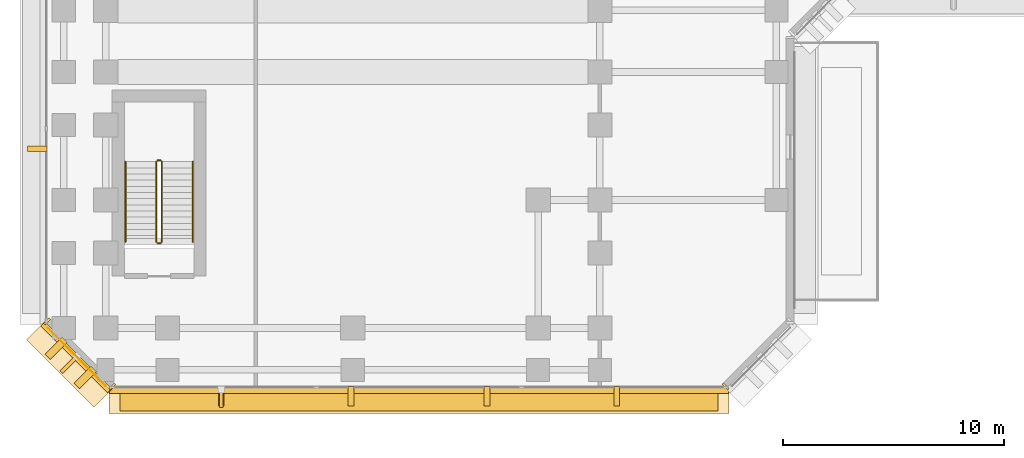
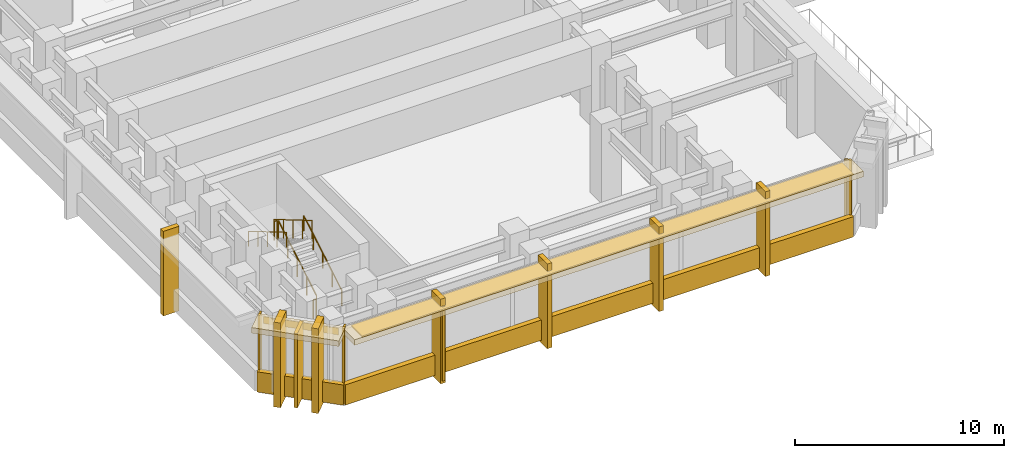
# One storey, part 10 of 16: 15 coverings, 6 railings, 3 shading devices.
"""IFC4 building model written with IfcOpenShell, lengths in metres."""

import ifcopenshell
import ifcopenshell.guid

model = None  # the IFC model being written
_history = None  # IfcOwnerHistory: only IFC2X3 demands one
_inside = {}  # id of a spatial element -> (the spatial element, [elements in it])
_under = {}  # id of a project, library or spatial element -> (it, [spatial elements below it])
_declared = {}  # id of a project -> (the project, [libraries it declares])
_typed = {}  # id of a type object -> (the type object, [elements of that type])
_made_of = {}  # id of a material, layer set ... -> (it, [elements and type objects made of it])


def new_model(schema):
    """Start an empty IFC model of exactly this schema.

    Asked for "IFC4X3", IfcOpenShell would pick the latest addendum, in which some entities
    have other attributes; the version numbers below select the first issue.
    IFC2X3 requires an IfcOwnerHistory on every rooted entity: one is made here for all.
    """
    global model, _history
    if schema == "IFC4X3":
        model = ifcopenshell.file(schema_version=(4, 3, 0, 0))
    else:
        model = ifcopenshell.file(schema=schema)
    _inside.clear()
    _under.clear()
    _declared.clear()
    _typed.clear()
    _made_of.clear()
    _history = None
    if model.schema == "IFC2X3":
        org = make("IfcOrganization", Name="unknown")
        user = make(
            "IfcPersonAndOrganization",
            ThePerson=make("IfcPerson", FamilyName="unknown"),
            TheOrganization=org,
        )
        app = make(
            "IfcApplication",
            ApplicationDeveloper=org,
            Version="unknown",
            ApplicationFullName="unknown",
            ApplicationIdentifier="unknown",
        )
        _history = make(
            "IfcOwnerHistory",
            OwningUser=user,
            OwningApplication=app,
            ChangeAction="ADDED",
            CreationDate=0,
        )
    return model


def make(cls, **values):
    """One entity of the class cls with the attributes given. An attribute that is None is left unset."""
    return model.create_entity(
        cls, **{name: value for name, value in values.items() if value is not None}
    )


def rooted(cls, **values):
    """An entity with a GlobalId (a new one), such as an element, a storey or a relation."""
    return make(cls, GlobalId=ifcopenshell.guid.new(), OwnerHistory=_history, **values)


def si_unit(unit_type, name, prefix=None):
    """IfcSIUnit, for example si_unit("LENGTHUNIT", "METRE", prefix="MILLI")."""
    return make("IfcSIUnit", UnitType=unit_type, Prefix=prefix, Name=name)


def assignment(units):
    """IfcUnitAssignment: the units of a project."""
    return None if units is None else make("IfcUnitAssignment", Units=units)


def point(xyz):
    """IfcCartesianPoint."""
    return None if xyz is None else make("IfcCartesianPoint", Coordinates=xyz)


def direction(xyz):
    """IfcDirection."""
    return None if xyz is None else make("IfcDirection", DirectionRatios=xyz)


def frame(location, z_axis=None, x_axis=None):
    """IfcAxis2Placement3D, a coordinate frame: its origin and axes. An axis left out is left unset."""
    return make(
        "IfcAxis2Placement3D",
        Location=point(location),
        Axis=direction(z_axis),
        RefDirection=direction(x_axis),
    )


def frame_2d(location, x_axis=None):
    """IfcAxis2Placement2D, a coordinate frame in the plane: its origin and x axis."""
    return make(
        "IfcAxis2Placement2D", Location=point(location), RefDirection=direction(x_axis)
    )


def origin():
    """The frame at (0, 0, 0) with its axes left unset."""
    return frame((0.0, 0.0, 0.0))


def origin_2d():
    """The frame at (0, 0) in the plane with its x axis left unset."""
    return frame_2d((0.0, 0.0))


def place(relative_to, where):
    """IfcLocalPlacement: puts the frame where relative to a parent placement (None: the world)."""
    return make(
        "IfcLocalPlacement", PlacementRelTo=relative_to, RelativePlacement=where
    )


def context(
    kind, dimensions, precision=None, world=None, true_north=None, identifier=None
):
    """IfcGeometricRepresentationContext, for example the 3D "Model" context."""
    return make(
        "IfcGeometricRepresentationContext",
        ContextIdentifier=identifier,
        ContextType=kind,
        CoordinateSpaceDimension=dimensions,
        Precision=precision,
        WorldCoordinateSystem=world,
        TrueNorth=true_north,
    )


def subcontext(parent, identifier, kind, view, scale=None):
    """IfcGeometricRepresentationSubContext, for example "Body" below "Model"."""
    return make(
        "IfcGeometricRepresentationSubContext",
        ContextIdentifier=identifier,
        ContextType=kind,
        ParentContext=parent,
        TargetScale=scale,
        TargetView=view,
    )


def project(units=None, contexts=None):
    """IfcProject with its units and contexts."""
    return rooted(
        "IfcProject",
        Name="project",
        RepresentationContexts=contexts,
        UnitsInContext=assignment(units),
    )


def spatial(cls, under=None, at=None, **own):
    """A site, building, storey or space (cls), placed at a placement, below another one or the project."""
    s = rooted(cls, ObjectPlacement=at, **own)
    if under is not None:
        _under.setdefault(under.id(), (under, []))[1].append(s)
    return s


def profile(cls, at=None, kind="AREA", **sizes):
    """A parametric profile (cls). Its sizes go by their IFC names, for example OverallWidth=200.0."""
    return make(cls, ProfileType=kind, Position=at, **sizes)


def rectangle(**sizes):
    """IfcRectangleProfileDef."""
    return profile("IfcRectangleProfileDef", **sizes)


def circle(**sizes):
    """IfcCircleProfileDef."""
    return profile("IfcCircleProfileDef", **sizes)


def extrude(swept, where, along, depth):
    """IfcExtrudedAreaSolid: the profile swept, set in the frame where, extruded along a direction by depth."""
    return make(
        "IfcExtrudedAreaSolid",
        SweptArea=swept,
        Position=where,
        ExtrudedDirection=direction(along),
        Depth=depth,
    )


def shape(context_of_items, identifier, shape_type, items):
    """IfcShapeRepresentation: the items that make up one representation, for example the "Body"."""
    return make(
        "IfcShapeRepresentation",
        ContextOfItems=context_of_items,
        RepresentationIdentifier=identifier,
        RepresentationType=shape_type,
        Items=items,
    )


def material(Name=None, Category=None):
    """IfcMaterial."""
    return make("IfcMaterial", Name=Name, Category=Category)


def layer(
    of_material, thickness, ventilated=None, Name=None, Category=None, Priority=None
):
    """IfcMaterialLayer: one layer of a wall or slab, of a material (None: an air gap)."""
    return make(
        "IfcMaterialLayer",
        Material=of_material,
        LayerThickness=thickness,
        IsVentilated=ventilated,
        Name=Name,
        Category=Category,
        Priority=Priority,
    )


def layer_set(layers, Name=None):
    """IfcMaterialLayerSet."""
    return make("IfcMaterialLayerSet", MaterialLayers=layers, LayerSetName=Name)


def material_profile(
    of_material, cross_section, Name=None, Category=None, Priority=None
):
    """IfcMaterialProfile: a cross section and its material."""
    return make(
        "IfcMaterialProfile",
        Name=Name,
        Material=of_material,
        Profile=cross_section,
        Priority=Priority,
        Category=Category,
    )


def profile_set(profiles, Name=None, composite=None):
    """IfcMaterialProfileSet."""
    return make(
        "IfcMaterialProfileSet",
        Name=Name,
        MaterialProfiles=profiles,
        CompositeProfile=composite,
    )


def made_of(thing, what):
    """Note that an element or type object is made of a material, layer set ...; save() writes the relation."""
    if what is not None:
        _made_of.setdefault(what.id(), (what, []))[1].append(thing)
    return thing


def type_object(cls, material=None, **own):
    """A type object (cls), such as IfcWallType, which elements share."""
    return made_of(rooted(cls, **own), material)


def element(
    cls,
    number,
    at=None,
    inside=None,
    cuts=None,
    type_object=None,
    material=None,
    context=None,
    identifier="Body",
    shape_type=None,
    held_by="IfcProductDefinitionShape",
    body=None,
    shapes=None,
    **own,
):
    """One element of the class cls, such as IfcWall. Its Tag is "e" and its number.

    at: its placement. inside: the storey or other place that contains it. cuts: it is an
    opening in that element (IfcRelVoidsElement). A single representation is given by context,
    identifier, shape_type and body (its items); several are given by shapes. held_by: the class
    of the entity that holds the representations. save() writes the other relations.
    """
    e = rooted(cls, Tag="e%d" % number, ObjectPlacement=at, **own)
    if body is not None:
        shapes = [shape(context, identifier, shape_type, body)]
    if shapes is not None:
        e.Representation = make(held_by, Representations=shapes)
    if inside is not None:
        _inside.setdefault(inside.id(), (inside, []))[1].append(e)
    if cuts is not None:
        rooted(
            "IfcRelVoidsElement", RelatingBuildingElement=cuts, RelatedOpeningElement=e
        )
    if type_object is not None:
        _typed.setdefault(type_object.id(), (type_object, []))[1].append(e)
    return made_of(e, material)


def aggregate(whole, parts):
    """IfcRelAggregates: a whole, such as a stair, and the parts it consists of."""
    return rooted("IfcRelAggregates", RelatingObject=whole, RelatedObjects=parts)


def save(model, path):
    """Write the relations noted so far, then the file.

    IfcRelAggregates (storeys below a building ...), IfcRelContainedInSpatialStructure (elements
    in a storey), IfcRelDefinesByType, IfcRelAssociatesMaterial and IfcRelDeclares: one each for
    every whole, place, type object, material and project.
    """
    for whole, parts in _under.values():
        aggregate(whole, parts)
    for where, things in _inside.values():
        rooted(
            "IfcRelContainedInSpatialStructure",
            RelatedElements=things,
            RelatingStructure=where,
        )
    for kind, things in _typed.values():
        rooted("IfcRelDefinesByType", RelatedObjects=things, RelatingType=kind)
    for what, things in _made_of.values():
        rooted("IfcRelAssociatesMaterial", RelatedObjects=things, RelatingMaterial=what)
    for by, libraries in _declared.values():
        rooted("IfcRelDeclares", RelatingContext=by, RelatedDefinitions=libraries)
    model.write(path)


model = new_model("IFC4")

# Units and contexts
model_context = context("Model", 3, precision=1e-05, world=origin(), true_north=direction((0.0, 1.0)))
body_context = subcontext(model_context, "Body", "Model", "MODEL_VIEW")
ifc_project = project(units=[si_unit("LENGTHUNIT", "METRE"), si_unit("AREAUNIT", "SQUARE_METRE"), si_unit("VOLUMEUNIT", "CUBIC_METRE"), si_unit("PLANEANGLEUNIT", "RADIAN"), si_unit("MASSUNIT", "GRAM", prefix="KILO")], contexts=[model_context])

# Site, building, storey
site_placement = place(None, origin())
site = spatial("IfcSite", under=ifc_project, at=site_placement, CompositionType="ELEMENT")
building_placement = place(site_placement, origin())
building = spatial("IfcBuilding", under=site, at=building_placement, Name="Kefirva Bronze Tower", CompositionType="ELEMENT")
storey_placement = place(building_placement, frame((0.0, 0.0, 21.1201171875)))
storey = spatial("IfcBuildingStorey", under=building, at=storey_placement, Name="L04", CompositionType="ELEMENT", Elevation=21.1201171875)

# Coverings
ifc_material_1 = material(Name="Bronze anodised aluminium", Category="aluminium")
ifc_layer_1 = layer(ifc_material_1, 0.02001953125, Name="Bronze anodised aluminium")
ifc_layer_set_1 = layer_set([ifc_layer_1], Name="Bronze anodised aluminium")
covering_type_1 = type_object("IfcCoveringType", Name="Anodised Bronze Spandrel Cladding 20mm", PredefinedType="CLADDING", material=ifc_layer_set_1)
covering_1_placement = place(storey_placement, frame((15.0, -2.0400390625, -0.16015625), z_axis=(0.0, 0.0, 1.0), x_axis=(1.0, 0.0, 0.0)))
element("IfcCovering", 1, at=covering_1_placement, inside=storey, type_object=covering_type_1, Name="L04 Streamline Horizontal Spandrel Band 0", PredefinedType="CLADDING", context=body_context, shape_type="SweptSolid", body=[
    extrude(rectangle(XDim=28.0400390625, YDim=0.280029296875, at=origin_2d()), origin(), (0.0, 0.0, 1.0), 1.179931640625),
])
covering_2_placement = place(storey_placement, frame((28.8974609375, -1.847900390625, 0.0), z_axis=(0.0, 0.0, 1.0), x_axis=(0.707106781187, 0.707106781187, 0.0)))
element("IfcCovering", 2, at=covering_2_placement, inside=storey, type_object=covering_type_1, Name="L04 Facade Joint Closure Panel 1S", PredefinedType="CLADDING", context=body_context, shape_type="SweptSolid", body=[
    extrude(rectangle(XDim=0.10009765625, YDim=0.360107421875, at=origin_2d()), origin(), (0.0, 0.0, 1.0), 4.199951171875),
])
covering_3_placement = place(storey_placement, frame((-0.507080078125, -0.507080078125, 3.780029296875), z_axis=(0.0, 0.0, 1.0), x_axis=(0.707106781187, -0.707106781187, 0.0)))
element("IfcCovering", 3, at=covering_3_placement, inside=storey, type_object=covering_type_1, Name="L04 Bronze Spandrel Cladding 7", PredefinedType="CLADDING", context=body_context, shape_type="SweptSolid", body=[
    extrude(rectangle(XDim=3.719482421875, YDim=0.02001953125, at=origin_2d()), origin(), (0.0, 0.0, 1.0), 0.39990234375),
])
for number, where, z_axis, x_axis, name in (
    (4, (-1.847900390625, 1.1025390625, 0.0), (0.0, 0.0, 1.0), (0.707106781187, -0.707106781187, 0.0), "L04 Facade Joint Closure Panel 7S"),
    (5, (1.1025390625, -1.847900390625, 0.0), (0.0, 0.0, 1.0), (0.707106781187, -0.707106781187, 0.0), "L04 Facade Joint Closure Panel 7E"),
):
    element("IfcCovering", number, at=place(storey_placement, frame(where, z_axis=z_axis, x_axis=x_axis)), inside=storey, type_object=covering_type_1, Name=name, PredefinedType="CLADDING", context=body_context, shape_type="SweptSolid", body=[
        extrude(rectangle(XDim=0.10009765625, YDim=0.360107421875, at=origin_2d()), origin(), (0.0, 0.0, 1.0), 4.199951171875),
    ])
covering_4_placement = place(storey_placement, frame((-0.5283203125, -0.5283203125, -0.16015625), z_axis=(0.0, 0.0, 1.0), x_axis=(0.707106781187, -0.707106781187, 0.0)))
element("IfcCovering", 6, at=covering_4_placement, inside=storey, type_object=covering_type_1, Name="L04 Streamline Horizontal Spandrel Band 11", PredefinedType="CLADDING", context=body_context, shape_type="SweptSolid", body=[
    extrude(rectangle(XDim=4.28271484375, YDim=0.280029296875, at=origin_2d()), origin(), (0.0, 0.0, 1.0), 1.179931640625),
])

# Shading device
ifc_material_profile_1 = material_profile(ifc_material_1, rectangle(XDim=0.179931640625, YDim=1.080078125, at=origin_2d()), Name="BRONZE BUTTRESS FIN 180x1080")
ifc_profile_set_1 = profile_set([ifc_material_profile_1], Name="Bronze anodised aluminium")
shading_device_type_1 = type_object("IfcShadingDeviceType", Name="Chamfered Corner Buttress Bronze Fin 1080mm", PredefinedType="USERDEFINED", material=ifc_profile_set_1)
shading_device_1_placement = place(storey_placement, frame((-0.8251953125, -0.8251953125, -0.14013671875), z_axis=(0.0, 0.0, 1.0), x_axis=(0.707106781187, -0.707106781187, 0.0)))
element("IfcShadingDevice", 7, at=shading_device_1_placement, inside=storey, type_object=shading_device_type_1, Name="L04 Chamfered Corner Buttress Fin 32", ObjectType="VERTICAL FIN", PredefinedType="USERDEFINED", context=body_context, shape_type="SweptSolid", body=[
    extrude(rectangle(XDim=0.179931640625, YDim=1.080078125, at=origin_2d()), origin(), (0.0, 0.0, 1.0), 4.340087890625),
])

# Railings
ifc_material_2 = material(Name="Stainless steel 316", Category="steel")
railing_type_1 = type_object("IfcRailingType", Name="Interior Stair Guardrail 1100mm", PredefinedType="GUARDRAIL", material=ifc_material_2)
railing_1_placement = place(storey_placement, frame((3.35009765625, 4.699951171875, 0.164794921875)))
element("IfcRailing", 8, at=railing_1_placement, inside=storey, type_object=railing_type_1, Name="L04 ST-3 stair guard 1", PredefinedType="GUARDRAIL", context=body_context, shape_type="SweptSolid", body=[
    extrude(circle(Radius=0.02392578125, at=origin_2d()), frame((0.0, 0.0, 1.076171875), z_axis=(0.0, 0.861544779993, 0.507681585313), x_axis=(-1.0, 0.0, 0.0)), (0.0, 0.0, 1.0), 4.22509765625),
    extrude(circle(Radius=0.02099609375, at=origin_2d()), origin(), (0.0, 0.0, 1.0), 1.052001953125),
    extrude(circle(Radius=0.02099609375, at=origin_2d()), frame((0.0, 0.91015625, 0.5361328125)), (0.0, 0.0, 1.0), 1.052001953125),
    extrude(circle(Radius=0.02099609375, at=origin_2d()), frame((0.0, 1.820068359375, 1.072509765625)), (0.0, 0.0, 1.0), 1.052001953125),
    extrude(circle(Radius=0.02099609375, at=origin_2d()), frame((0.0, 2.72998046875, 1.60888671875)), (0.0, 0.0, 1.0), 1.052001953125),
    extrude(circle(Radius=0.02099609375, at=origin_2d()), frame((0.0, 3.64013671875, 2.14501953125)), (0.0, 0.0, 1.0), 1.052001953125),
])
railing_2_placement = place(storey_placement, frame((3.300048828125, 8.389892578125, 2.309814453125)))
element("IfcRailing", 9, at=railing_2_placement, inside=storey, type_object=railing_type_1, Name="L04 ST-3 stair guard 2", PredefinedType="GUARDRAIL", context=body_context, shape_type="SweptSolid", body=[
    extrude(circle(Radius=0.02392578125, at=origin_2d()), frame((0.0, 0.0, 1.076171875), z_axis=(-1.0, 0.0, 0.0), x_axis=(0.0, -1.0, 0.0)), (0.0, 0.0, 1.0), 0.150146484375),
    extrude(circle(Radius=0.02099609375, at=origin_2d()), origin(), (0.0, 0.0, 1.0), 1.052001953125),
    extrude(circle(Radius=0.02099609375, at=origin_2d()), frame((-0.150146484375, 0.0, 0.0)), (0.0, 0.0, 1.0), 1.052001953125),
])
railing_3_placement = place(storey_placement, frame((3.10009765625, 8.340087890625, 2.474853515625)))
element("IfcRailing", 10, at=railing_3_placement, inside=storey, type_object=railing_type_1, Name="L04 ST-3 stair guard 3", PredefinedType="GUARDRAIL", context=body_context, shape_type="SweptSolid", body=[
    extrude(circle(Radius=0.02392578125, at=origin_2d()), frame((0.0, 0.0, 1.076171875), z_axis=(0.0, -0.861544779993, 0.507681585313), x_axis=(1.0, 0.0, 0.0)), (0.0, 0.0, 1.0), 4.22509765625),
    extrude(circle(Radius=0.02099609375, at=origin_2d()), origin(), (0.0, 0.0, 1.0), 1.052001953125),
    extrude(circle(Radius=0.02099609375, at=origin_2d()), frame((0.0, -0.91015625, 0.5361328125)), (0.0, 0.0, 1.0), 1.052001953125),
    extrude(circle(Radius=0.02099609375, at=origin_2d()), frame((0.0, -1.820068359375, 1.072509765625)), (0.0, 0.0, 1.0), 1.052001953125),
    extrude(circle(Radius=0.02099609375, at=origin_2d()), frame((0.0, -2.72998046875, 1.60888671875)), (0.0, 0.0, 1.0), 1.052001953125),
    extrude(circle(Radius=0.02099609375, at=origin_2d()), frame((0.0, -3.64013671875, 2.14501953125)), (0.0, 0.0, 1.0), 1.052001953125),
])
railing_4_placement = place(storey_placement, frame((3.300048828125, 4.64990234375, 0.0)))
element("IfcRailing", 11, at=railing_4_placement, inside=storey, type_object=railing_type_1, Name="L04 ST-3 stair guard 4", PredefinedType="GUARDRAIL", context=body_context, shape_type="SweptSolid", body=[
    extrude(circle(Radius=0.02392578125, at=origin_2d()), frame((0.0, 0.0, 1.076171875), z_axis=(-1.0, 0.0, 0.0), x_axis=(0.0, -1.0, 0.0)), (0.0, 0.0, 1.0), 0.150146484375),
    extrude(circle(Radius=0.02099609375, at=origin_2d()), origin(), (0.0, 0.0, 1.0), 1.052001953125),
    extrude(circle(Radius=0.02099609375, at=origin_2d()), frame((-0.150146484375, 0.0, 0.0)), (0.0, 0.0, 1.0), 1.052001953125),
])

# Shading device
ifc_layer_2 = layer(ifc_material_1, 0.1201171875, Name="Bronze anodised aluminium")
ifc_layer_set_2 = layer_set([ifc_layer_2], Name="Bronze anodised aluminium")
shading_device_type_2 = type_object("IfcShadingDeviceType", Name="Podium Deep Bronze Canopy Sunshade 1050mm", PredefinedType="JALOUSIE", material=ifc_layer_set_2)
shading_device_2_placement = place(storey_placement, frame((15.0, -2.445068359375, 4.0947265625), z_axis=(0.0, 0.0, 1.0), x_axis=(1.0, 0.0, 0.0)))
element("IfcShadingDevice", 12, at=shading_device_2_placement, inside=storey, type_object=shading_device_type_2, Name="L04 Horizontal Bronze Sunshade Band 0", PredefinedType="JALOUSIE", context=body_context, shape_type="SweptSolid", body=[
    extrude(rectangle(XDim=27.090087890625, YDim=1.050048828125, at=origin_2d()), origin(), (0.0, 0.0, 1.0), 0.090087890625),
])

# Railings
railing_type_2 = type_object("IfcRailingType", Name="Stair Pitch Handrail 900mm", PredefinedType="HANDRAIL", material=ifc_material_2)
railing_5_placement = place(storey_placement, frame((4.75, 4.699951171875, 0.164794921875)))
element("IfcRailing", 13, at=railing_5_placement, inside=storey, type_object=railing_type_2, Name="L04 ST-3 stair handrail 1", PredefinedType="HANDRAIL", context=body_context, shape_type="SweptSolid", body=[
    extrude(circle(Radius=0.02392578125, at=origin_2d()), frame((0.0, 0.0, 0.8759765625), z_axis=(0.0, 0.861544779993, 0.507681585313), x_axis=(-1.0, 0.0, 0.0)), (0.0, 0.0, 1.0), 4.22509765625),
    extrude(circle(Radius=0.02099609375, at=origin_2d()), origin(), (0.0, 0.0, 1.0), 0.851806640625),
    extrude(circle(Radius=0.02099609375, at=origin_2d()), frame((0.0, 0.91015625, 0.5361328125)), (0.0, 0.0, 1.0), 0.851806640625),
    extrude(circle(Radius=0.02099609375, at=origin_2d()), frame((0.0, 1.820068359375, 1.072509765625)), (0.0, 0.0, 1.0), 0.851806640625),
    extrude(circle(Radius=0.02099609375, at=origin_2d()), frame((0.0, 2.72998046875, 1.60888671875)), (0.0, 0.0, 1.0), 0.851806640625),
    extrude(circle(Radius=0.02099609375, at=origin_2d()), frame((0.0, 3.64013671875, 2.14501953125)), (0.0, 0.0, 1.0), 0.851806640625),
])
railing_6_placement = place(storey_placement, frame((1.699951171875, 8.340087890625, 2.474853515625)))
element("IfcRailing", 14, at=railing_6_placement, inside=storey, type_object=railing_type_2, Name="L04 ST-3 stair handrail 2", PredefinedType="HANDRAIL", context=body_context, shape_type="SweptSolid", body=[
    extrude(circle(Radius=0.02392578125, at=origin_2d()), frame((0.0, 0.0, 0.8759765625), z_axis=(0.0, -0.861544779993, 0.507681585313), x_axis=(1.0, 0.0, 0.0)), (0.0, 0.0, 1.0), 4.22509765625),
    extrude(circle(Radius=0.02099609375, at=origin_2d()), origin(), (0.0, 0.0, 1.0), 0.851806640625),
    extrude(circle(Radius=0.02099609375, at=origin_2d()), frame((0.0, -0.91015625, 0.5361328125)), (0.0, 0.0, 1.0), 0.851806640625),
    extrude(circle(Radius=0.02099609375, at=origin_2d()), frame((0.0, -1.820068359375, 1.072509765625)), (0.0, 0.0, 1.0), 0.851806640625),
    extrude(circle(Radius=0.02099609375, at=origin_2d()), frame((0.0, -2.72998046875, 1.60888671875)), (0.0, 0.0, 1.0), 0.851806640625),
    extrude(circle(Radius=0.02099609375, at=origin_2d()), frame((0.0, -3.64013671875, 2.14501953125)), (0.0, 0.0, 1.0), 0.851806640625),
])

# Coverings
ifc_layer_3 = layer(ifc_material_1, 0.179931640625, Name="Bronze anodised aluminium")
ifc_layer_set_3 = layer_set([ifc_layer_3], Name="Bronze anodised aluminium")
covering_type_2 = type_object("IfcCoveringType", Name="Streamline Bronze Sunshade Eyebrow Cladding 180mm", PredefinedType="CLADDING", material=ifc_layer_set_3)
covering_5_placement = place(storey_placement, frame((15.0, -2.4599609375, 3.8798828125), z_axis=(0.0, 0.0, 1.0), x_axis=(1.0, 0.0, 0.0)))
element("IfcCovering", 15, at=covering_5_placement, inside=storey, type_object=covering_type_2, Name="L04 Streamline Bronze Sunshade Eyebrow 0", PredefinedType="CLADDING", context=body_context, shape_type="SweptSolid", body=[
    extrude(rectangle(XDim=28.080078125, YDim=1.239990234375, at=origin_2d()), origin(), (0.0, 0.0, 1.0), 0.320068359375),
])
covering_6_placement = place(storey_placement, frame((-0.8251953125, -0.8251953125, 3.8798828125), z_axis=(0.0, 0.0, 1.0), x_axis=(0.707106781187, -0.707106781187, 0.0)))
element("IfcCovering", 16, at=covering_6_placement, inside=storey, type_object=covering_type_2, Name="L04 Streamline Bronze Sunshade Eyebrow 11", PredefinedType="CLADDING", context=body_context, shape_type="SweptSolid", body=[
    extrude(rectangle(XDim=4.322509765625, YDim=1.239990234375, at=origin_2d()), origin(), (0.0, 0.0, 1.0), 0.320068359375),
])
ifc_layer_4 = layer(ifc_material_1, 0.260009765625, Name="Bronze anodised aluminium")
ifc_layer_set_4 = layer_set([ifc_layer_4], Name="Bronze anodised aluminium")
covering_type_3 = type_object("IfcCoveringType", Name="Unbroken Bronze Buttress Fin Cladding 260mm", PredefinedType="CLADDING", material=ifc_layer_set_4)
for number, where, z_axis, x_axis, name in (
    (17, (6.0400390625, -2.300048828125, -0.320068359375), (0.0, 0.0, 1.0), (1.0, 0.0, 0.0), "L04 Unbroken Vertical Bronze Rib Fin 1"),
    (18, (11.919921875, -2.300048828125, -0.320068359375), (0.0, 0.0, 1.0), (1.0, 0.0, 0.0), "L04 Unbroken Vertical Bronze Rib Fin 2"),
    (19, (18.080078125, -2.300048828125, -0.320068359375), (0.0, 0.0, 1.0), (1.0, 0.0, 0.0), "L04 Unbroken Vertical Bronze Rib Fin 3"),
    (20, (23.9599609375, -2.300048828125, -0.320068359375), (0.0, 0.0, 1.0), (1.0, 0.0, 0.0), "L04 Unbroken Vertical Bronze Rib Fin 4"),
    (21, (-2.300048828125, 8.919921875, -0.320068359375), (0.0, 0.0, 1.0), (0.0, -1.0, 0.0), "L04 Unbroken Vertical Bronze Rib Fin 30"),
):
    element("IfcCovering", number, at=place(storey_placement, frame(where, z_axis=z_axis, x_axis=x_axis)), inside=storey, type_object=covering_type_3, Name=name, PredefinedType="CLADDING", context=body_context, shape_type="SweptSolid", body=[
        extrude(rectangle(XDim=0.260009765625, YDim=0.8798828125, at=origin_2d()), origin(), (0.0, 0.0, 1.0), 4.93994140625),
    ])
for number, where, z_axis, x_axis, name in (
    (22, (-1.44287109375, -0.122802734375, -0.320068359375), (0.0, 0.0, 1.0), (0.707106781187, -0.707106781187, 0.0), "L04 Chamfered Corner Buttress Fin Cladding 31"),
    (23, (-0.122802734375, -1.44287109375, -0.320068359375), (0.0, 0.0, 1.0), (0.707106781187, -0.707106781187, 0.0), "L04 Chamfered Corner Buttress Fin Cladding 32"),
):
    element("IfcCovering", number, at=place(storey_placement, frame(where, z_axis=z_axis, x_axis=x_axis)), inside=storey, type_object=covering_type_3, Name=name, PredefinedType="CLADDING", context=body_context, shape_type="SweptSolid", body=[
        extrude(rectangle(XDim=0.340087890625, YDim=1.080078125, at=origin_2d()), origin(), (0.0, 0.0, 1.0), 4.93994140625),
    ])

# Shading device
ifc_material_profile_2 = material_profile(ifc_material_1, rectangle(XDim=0.139892578125, YDim=0.8798828125, at=origin_2d()), Name="BRONZE FIN 140x880")
ifc_profile_set_2 = profile_set([ifc_material_profile_2], Name="Bronze anodised aluminium")
shading_device_type_3 = type_object("IfcShadingDeviceType", Name="Unbroken Vertical Bronze Facade Fin 880mm", PredefinedType="USERDEFINED", material=ifc_profile_set_2)
shading_device_3_placement = place(storey_placement, frame((6.0400390625, -2.360107421875, -0.14013671875), z_axis=(0.0, 0.0, 1.0), x_axis=(1.0, 0.0, 0.0)))
element("IfcShadingDevice", 24, at=shading_device_3_placement, inside=storey, type_object=shading_device_type_3, Name="L04 Vertical Bronze Rib Fin 1", ObjectType="VERTICAL FIN", PredefinedType="USERDEFINED", context=body_context, shape_type="SweptSolid", body=[
    extrude(rectangle(XDim=0.139892578125, YDim=0.8798828125, at=origin_2d()), origin(), (0.0, 0.0, 1.0), 4.340087890625),
])

save(model, "model.ifc")
